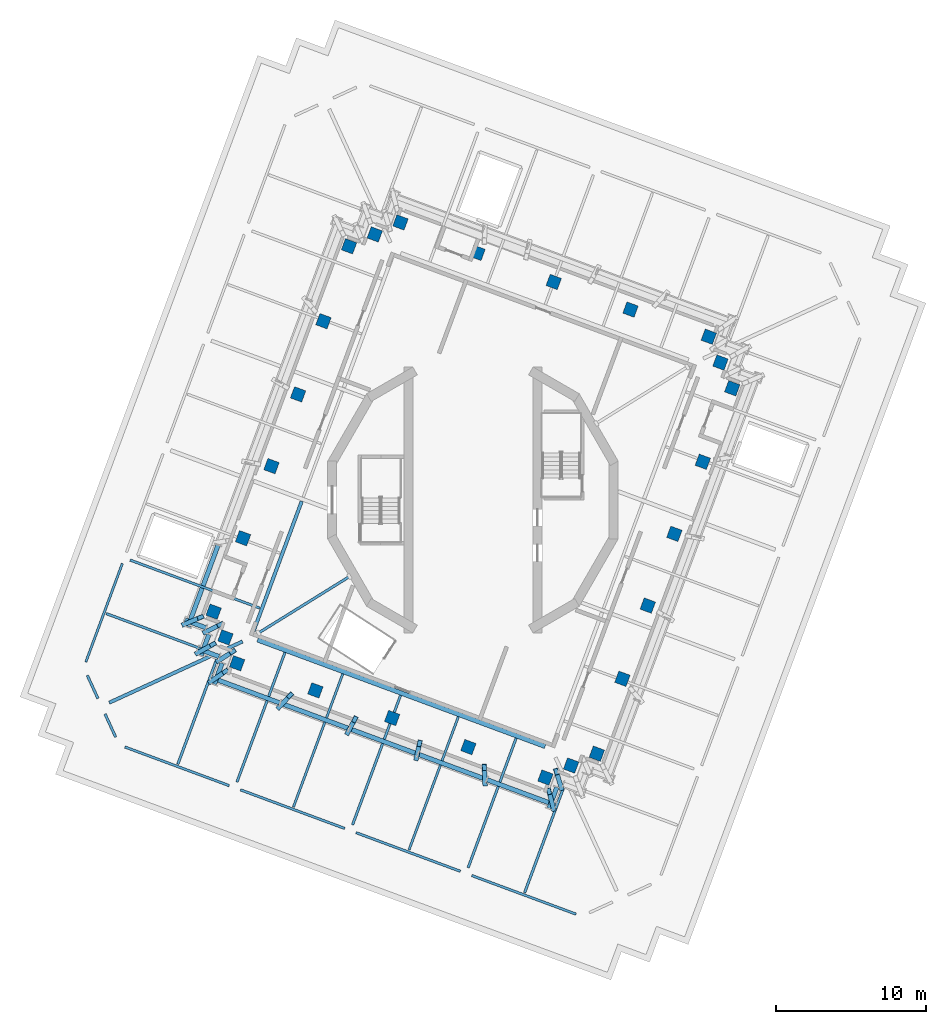
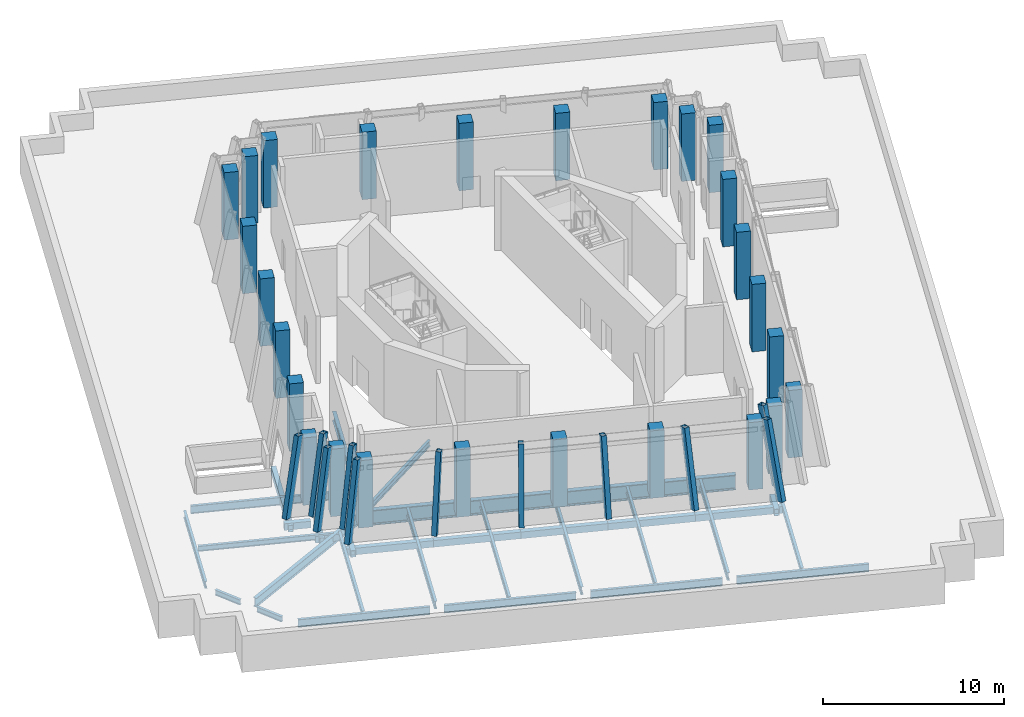
# One storey, part 1 of 12: 26 columns, 22 members, 20 beams, 12 elements without a shape of their own.
"""IFC4 building model written with IfcOpenShell, lengths in metres."""

import ifcopenshell
import ifcopenshell.guid

model = None  # the IFC model being written
_history = None  # IfcOwnerHistory: only IFC2X3 demands one
_inside = {}  # id of a spatial element -> (the spatial element, [elements in it])
_under = {}  # id of a project, library or spatial element -> (it, [spatial elements below it])
_declared = {}  # id of a project -> (the project, [libraries it declares])
_typed = {}  # id of a type object -> (the type object, [elements of that type])
_made_of = {}  # id of a material, layer set ... -> (it, [elements and type objects made of it])


def new_model(schema):
    """Start an empty IFC model of exactly this schema.

    Asked for "IFC4X3", IfcOpenShell would pick the latest addendum, in which some entities
    have other attributes; the version numbers below select the first issue.
    IFC2X3 requires an IfcOwnerHistory on every rooted entity: one is made here for all.
    """
    global model, _history
    if schema == "IFC4X3":
        model = ifcopenshell.file(schema_version=(4, 3, 0, 0))
    else:
        model = ifcopenshell.file(schema=schema)
    _inside.clear()
    _under.clear()
    _declared.clear()
    _typed.clear()
    _made_of.clear()
    _history = None
    if model.schema == "IFC2X3":
        org = make("IfcOrganization", Name="unknown")
        user = make(
            "IfcPersonAndOrganization",
            ThePerson=make("IfcPerson", FamilyName="unknown"),
            TheOrganization=org,
        )
        app = make(
            "IfcApplication",
            ApplicationDeveloper=org,
            Version="unknown",
            ApplicationFullName="unknown",
            ApplicationIdentifier="unknown",
        )
        _history = make(
            "IfcOwnerHistory",
            OwningUser=user,
            OwningApplication=app,
            ChangeAction="ADDED",
            CreationDate=0,
        )
    return model


def make(cls, **values):
    """One entity of the class cls with the attributes given. An attribute that is None is left unset."""
    return model.create_entity(
        cls, **{name: value for name, value in values.items() if value is not None}
    )


def rooted(cls, **values):
    """An entity with a GlobalId (a new one), such as an element, a storey or a relation."""
    return make(cls, GlobalId=ifcopenshell.guid.new(), OwnerHistory=_history, **values)


def si_unit(unit_type, name, prefix=None):
    """IfcSIUnit, for example si_unit("LENGTHUNIT", "METRE", prefix="MILLI")."""
    return make("IfcSIUnit", UnitType=unit_type, Prefix=prefix, Name=name)


def assignment(units):
    """IfcUnitAssignment: the units of a project."""
    return None if units is None else make("IfcUnitAssignment", Units=units)


def point(xyz):
    """IfcCartesianPoint."""
    return None if xyz is None else make("IfcCartesianPoint", Coordinates=xyz)


def direction(xyz):
    """IfcDirection."""
    return None if xyz is None else make("IfcDirection", DirectionRatios=xyz)


def frame(location, z_axis=None, x_axis=None):
    """IfcAxis2Placement3D, a coordinate frame: its origin and axes. An axis left out is left unset."""
    return make(
        "IfcAxis2Placement3D",
        Location=point(location),
        Axis=direction(z_axis),
        RefDirection=direction(x_axis),
    )


def frame_2d(location, x_axis=None):
    """IfcAxis2Placement2D, a coordinate frame in the plane: its origin and x axis."""
    return make(
        "IfcAxis2Placement2D", Location=point(location), RefDirection=direction(x_axis)
    )


def origin():
    """The frame at (0, 0, 0) with its axes left unset."""
    return frame((0.0, 0.0, 0.0))


def origin_2d():
    """The frame at (0, 0) in the plane with its x axis left unset."""
    return frame_2d((0.0, 0.0))


def place(relative_to, where):
    """IfcLocalPlacement: puts the frame where relative to a parent placement (None: the world)."""
    return make(
        "IfcLocalPlacement", PlacementRelTo=relative_to, RelativePlacement=where
    )


def context(
    kind, dimensions, precision=None, world=None, true_north=None, identifier=None
):
    """IfcGeometricRepresentationContext, for example the 3D "Model" context."""
    return make(
        "IfcGeometricRepresentationContext",
        ContextIdentifier=identifier,
        ContextType=kind,
        CoordinateSpaceDimension=dimensions,
        Precision=precision,
        WorldCoordinateSystem=world,
        TrueNorth=true_north,
    )


def subcontext(parent, identifier, kind, view, scale=None):
    """IfcGeometricRepresentationSubContext, for example "Body" below "Model"."""
    return make(
        "IfcGeometricRepresentationSubContext",
        ContextIdentifier=identifier,
        ContextType=kind,
        ParentContext=parent,
        TargetScale=scale,
        TargetView=view,
    )


def project(units=None, contexts=None):
    """IfcProject with its units and contexts."""
    return rooted(
        "IfcProject",
        Name="project",
        RepresentationContexts=contexts,
        UnitsInContext=assignment(units),
    )


def spatial(cls, under=None, at=None, **own):
    """A site, building, storey or space (cls), placed at a placement, below another one or the project."""
    s = rooted(cls, ObjectPlacement=at, **own)
    if under is not None:
        _under.setdefault(under.id(), (under, []))[1].append(s)
    return s


def profile(cls, at=None, kind="AREA", **sizes):
    """A parametric profile (cls). Its sizes go by their IFC names, for example OverallWidth=200.0."""
    return make(cls, ProfileType=kind, Position=at, **sizes)


def rectangle(**sizes):
    """IfcRectangleProfileDef."""
    return profile("IfcRectangleProfileDef", **sizes)


def hollow_rectangle(**sizes):
    """IfcRectangleHollowProfileDef."""
    return profile("IfcRectangleHollowProfileDef", **sizes)


def i_section(**sizes):
    """IfcIShapeProfileDef."""
    return profile("IfcIShapeProfileDef", **sizes)


def extrude(swept, where, along, depth):
    """IfcExtrudedAreaSolid: the profile swept, set in the frame where, extruded along a direction by depth."""
    return make(
        "IfcExtrudedAreaSolid",
        SweptArea=swept,
        Position=where,
        ExtrudedDirection=direction(along),
        Depth=depth,
    )


def shape(context_of_items, identifier, shape_type, items):
    """IfcShapeRepresentation: the items that make up one representation, for example the "Body"."""
    return make(
        "IfcShapeRepresentation",
        ContextOfItems=context_of_items,
        RepresentationIdentifier=identifier,
        RepresentationType=shape_type,
        Items=items,
    )


def material(Name=None, Category=None):
    """IfcMaterial."""
    return make("IfcMaterial", Name=Name, Category=Category)


def material_profile(
    of_material, cross_section, Name=None, Category=None, Priority=None
):
    """IfcMaterialProfile: a cross section and its material."""
    return make(
        "IfcMaterialProfile",
        Name=Name,
        Material=of_material,
        Profile=cross_section,
        Priority=Priority,
        Category=Category,
    )


def profile_set(profiles, Name=None, composite=None):
    """IfcMaterialProfileSet."""
    return make(
        "IfcMaterialProfileSet",
        Name=Name,
        MaterialProfiles=profiles,
        CompositeProfile=composite,
    )


def made_of(thing, what):
    """Note that an element or type object is made of a material, layer set ...; save() writes the relation."""
    if what is not None:
        _made_of.setdefault(what.id(), (what, []))[1].append(thing)
    return thing


def type_object(cls, material=None, **own):
    """A type object (cls), such as IfcWallType, which elements share."""
    return made_of(rooted(cls, **own), material)


def element(
    cls,
    number,
    at=None,
    inside=None,
    cuts=None,
    type_object=None,
    material=None,
    context=None,
    identifier="Body",
    shape_type=None,
    held_by="IfcProductDefinitionShape",
    body=None,
    shapes=None,
    **own,
):
    """One element of the class cls, such as IfcWall. Its Tag is "e" and its number.

    at: its placement. inside: the storey or other place that contains it. cuts: it is an
    opening in that element (IfcRelVoidsElement). A single representation is given by context,
    identifier, shape_type and body (its items); several are given by shapes. held_by: the class
    of the entity that holds the representations. save() writes the other relations.
    """
    e = rooted(cls, Tag="e%d" % number, ObjectPlacement=at, **own)
    if body is not None:
        shapes = [shape(context, identifier, shape_type, body)]
    if shapes is not None:
        e.Representation = make(held_by, Representations=shapes)
    if inside is not None:
        _inside.setdefault(inside.id(), (inside, []))[1].append(e)
    if cuts is not None:
        rooted(
            "IfcRelVoidsElement", RelatingBuildingElement=cuts, RelatedOpeningElement=e
        )
    if type_object is not None:
        _typed.setdefault(type_object.id(), (type_object, []))[1].append(e)
    return made_of(e, material)


def aggregate(whole, parts):
    """IfcRelAggregates: a whole, such as a stair, and the parts it consists of."""
    return rooted("IfcRelAggregates", RelatingObject=whole, RelatedObjects=parts)


def save(model, path):
    """Write the relations noted so far, then the file.

    IfcRelAggregates (storeys below a building ...), IfcRelContainedInSpatialStructure (elements
    in a storey), IfcRelDefinesByType, IfcRelAssociatesMaterial and IfcRelDeclares: one each for
    every whole, place, type object, material and project.
    """
    for whole, parts in _under.values():
        aggregate(whole, parts)
    for where, things in _inside.values():
        rooted(
            "IfcRelContainedInSpatialStructure",
            RelatedElements=things,
            RelatingStructure=where,
        )
    for kind, things in _typed.values():
        rooted("IfcRelDefinesByType", RelatedObjects=things, RelatingType=kind)
    for what, things in _made_of.values():
        rooted("IfcRelAssociatesMaterial", RelatedObjects=things, RelatingMaterial=what)
    for by, libraries in _declared.values():
        rooted("IfcRelDeclares", RelatingContext=by, RelatedDefinitions=libraries)
    model.write(path)


model = new_model("IFC4")

# Units and contexts
model_context = context("Model", 3, precision=1e-05, world=origin(), true_north=direction((0.0, 1.0)))
body_context = subcontext(model_context, "Body", "Model", "MODEL_VIEW")
ifc_project = project(units=[si_unit("LENGTHUNIT", "METRE"), si_unit("AREAUNIT", "SQUARE_METRE"), si_unit("VOLUMEUNIT", "CUBIC_METRE"), si_unit("PLANEANGLEUNIT", "RADIAN"), si_unit("MASSUNIT", "GRAM", prefix="KILO")], contexts=[model_context])

# Site, building, storey
site_placement = place(None, origin())
site = spatial("IfcSite", under=ifc_project, at=site_placement, CompositionType="ELEMENT")
building_placement = place(site_placement, origin())
building = spatial("IfcBuilding", under=site, at=building_placement, Name="Cantera Rosa Tower", CompositionType="ELEMENT")
storey_placement = place(building_placement, frame((0.0, 0.0, 345.699951171875)))
storey = spatial("IfcBuildingStorey", under=building, at=storey_placement, Name="L78", CompositionType="ELEMENT", Elevation=345.699951171875)

# Columns
ifc_material_1 = material(Name="Concrete C50/60", Category="concrete")
ifc_material_profile_1 = material_profile(ifc_material_1, rectangle(XDim=0.800048828125, YDim=0.800048828125, at=origin_2d()), Name="RC COLUMN RC800X800 C50/60")
ifc_profile_set_1 = profile_set([ifc_material_profile_1], Name="Concrete C50/60")
column_type = type_object("IfcColumnType", Name="RC COLUMN RC800X800 C50/60", PredefinedType="COLUMN", material=ifc_profile_set_1)
for number, where, z_axis, x_axis, name in (
    (1, (15.6875, 10.8623046875, 0.0), (0.0, 0.0, 1.0), (0.347481234489, 0.937686936924, 0.0), "C-Z6-01 L78"),
    (2, (10.48046875, 12.665771484375, 0.0), (0.0, 0.0, 1.0), (0.347481234489, 0.937686936924, 0.0), "C-Z6-02 L78"),
    (3, (5.373779296875, 14.501220703125, 0.0), (0.0, 0.0, 1.0), (0.347481234489, 0.937686936924, 0.0), "C-Z6-03 L78"),
    (4, (0.303955078125, 16.436767578125, 0.0), (0.0, 0.0, 1.0), (0.347481234489, 0.937686936924, 0.0), "C-Z6-04 L78"),
    (5, (-4.82080078125, 18.4619140625, 0.0), (0.0, 0.0, 1.0), (0.347481234489, 0.937686936924, 0.0), "C-Z6-05 L78"),
    (6, (-6.530517578125, 17.663818359375, 0.0), (0.0, 0.0, 1.0), (0.347481234489, 0.937686936924, 0.0), "C-Z6-06 L78"),
    (7, (-8.2421875, 16.875, 0.0), (0.0, 0.0, 1.0), (0.347481234489, 0.937686936924, 0.0), "C-Z6-07 L78"),
    (8, (-9.9423828125, 11.89306640625, 0.0), (0.0, 0.0, 1.0), (0.347481234489, 0.937686936924, 0.0), "C-Z6-08 L78"),
    (9, (-11.630859375, 7.024169921875, 0.0), (0.0, 0.0, 1.0), (0.347481234489, 0.937686936924, 0.0), "C-Z6-09 L78"),
    (10, (-13.3994140625, 2.251220703125, 0.0), (0.0, 0.0, 1.0), (0.347481234489, 0.937686936924, 0.0), "C-Z6-10 L78"),
    (11, (-15.29150390625, -2.542236328125, 0.0), (0.0, 0.0, 1.0), (0.347481234489, 0.937686936924, 0.0), "C-Z6-11 L78"),
    (12, (-17.24853515625, -7.4287109375, 0.0), (0.0, 0.0, 1.0), (0.347481234489, 0.937686936924, 0.0), "C-Z6-12 L78"),
    (13, (-16.46435546875, -9.142578125, 0.0), (0.0, 0.0, 1.0), (0.347481234489, 0.937686936924, 0.0), "C-Z6-13 L78"),
    (14, (-15.6875, -10.8623046875, 0.0), (0.0, 0.0, 1.0), (0.347481234489, 0.937686936924, 0.0), "C-Z6-14 L78"),
    (15, (-10.48046875, -12.665771484375, 0.0), (0.0, 0.0, 1.0), (0.347481234489, 0.937686936924, 0.0), "C-Z6-15 L78"),
    (16, (-5.373779296875, -14.501220703125, 0.0), (0.0, 0.0, 1.0), (0.347481234489, 0.937686936924, 0.0), "C-Z6-16 L78"),
    (17, (-0.303955078125, -16.436767578125, 0.0), (0.0, 0.0, 1.0), (0.347481234489, 0.937686936924, 0.0), "C-Z6-17 L78"),
    (18, (4.82080078125, -18.4619140625, 0.0), (0.0, 0.0, 1.0), (0.347481234489, 0.937686936924, 0.0), "C-Z6-18 L78"),
    (19, (6.530517578125, -17.663818359375, 0.0), (0.0, 0.0, 1.0), (0.347481234489, 0.937686936924, 0.0), "C-Z6-19 L78"),
    (20, (8.2421875, -16.875, 0.0), (0.0, 0.0, 1.0), (0.347481234489, 0.937686936924, 0.0), "C-Z6-20 L78"),
    (21, (9.9423828125, -11.89306640625, 0.0), (0.0, 0.0, 1.0), (0.347481234489, 0.937686936924, 0.0), "C-Z6-21 L78"),
    (22, (11.630859375, -7.024169921875, 0.0), (0.0, 0.0, 1.0), (0.347481234489, 0.937686936924, 0.0), "C-Z6-22 L78"),
    (23, (13.3994140625, -2.251220703125, 0.0), (0.0, 0.0, 1.0), (0.347481234489, 0.937686936924, 0.0), "C-Z6-23 L78"),
    (24, (15.29150390625, 2.542236328125, 0.0), (0.0, 0.0, 1.0), (0.347481234489, 0.937686936924, 0.0), "C-Z6-24 L78"),
    (25, (17.24853515625, 7.4287109375, 0.0), (0.0, 0.0, 1.0), (0.347481234489, 0.937686936924, 0.0), "C-Z6-25 L78"),
    (26, (16.46435546875, 9.142578125, 0.0), (0.0, 0.0, 1.0), (0.347481234489, 0.937686936924, 0.0), "C-Z6-26 L78"),
):
    element("IfcColumn", number, at=place(storey_placement, frame(where, z_axis=z_axis, x_axis=x_axis)), inside=storey, type_object=column_type, Name=name, PredefinedType="COLUMN", context=body_context, shape_type="SweptSolid", body=[
        extrude(rectangle(XDim=0.800048828125, YDim=0.800048828125, at=origin_2d()), origin(), (0.0, 0.0, 1.0), 4.550048828125),
    ])

# Curtain wall, member
ifc_material_2 = material(Name="Aluminium frame with clear glass", Category="aluminium")
curtain_wall_type = type_object("IfcCurtainWallType", Name="CW4 CROWN GLAZING", PredefinedType="NOTDEFINED", material=ifc_material_2)
curtain_wall_1_placement = place(storey_placement, origin())
curtain_wall_1 = element("IfcCurtainWall", 27, at=curtain_wall_1_placement, inside=storey, type_object=curtain_wall_type, Name="CW4 L78-15", PredefinedType="NOTDEFINED")
ifc_material_3 = material(Name="Steel S355J2 (EN 10025-2)", Category="steel")
ifc_material_profile_2 = material_profile(ifc_material_3, hollow_rectangle(XDim=0.300048828125, YDim=0.449951171875, WallThickness=0.01611328125, at=origin_2d()), Name="CROWN FRAME MULLION RHS 300x450x16")
ifc_profile_set_2 = profile_set([ifc_material_profile_2], Name="Steel S355J2 (EN 10025-2)")
member_type_1 = type_object("IfcMemberType", Name="CROWN FRAME MULLION RHS 300x450x16", PredefinedType="MULLION", material=ifc_profile_set_2)
member_1_placement = place(storey_placement, frame((-19.15673828125, -8.25048828125, 0.0), z_axis=(0.202055162633, 0.086976126112, 0.975504415541), x_axis=(-0.395382237712, 0.918516677095, 0.0)))
member_1 = element("IfcMember", 28, at=member_1_placement, type_object=member_type_1, Name="CROWN FRAME rib L78-15", PredefinedType="MULLION", context=body_context, shape_type="SweptSolid", body=[
    extrude(hollow_rectangle(XDim=0.300048828125, YDim=0.449951171875, WallThickness=0.01611328125, at=origin_2d()), origin(), (0.0, 0.0, 1.0), 5.12548828125),
])

curtain_wall_2_placement = place(storey_placement, origin())
curtain_wall_2 = element("IfcCurtainWall", 29, at=curtain_wall_2_placement, inside=storey, type_object=curtain_wall_type, Name="CW4 L78-16", PredefinedType="NOTDEFINED")
member_2_placement = place(storey_placement, frame((-17.768798828125, -8.764892578125, 0.0), z_axis=(0.18782927877, 0.092673266419, 0.97781993625), x_axis=(-0.442465792491, 0.896785382617, 0.0)))
member_2 = element("IfcMember", 30, at=member_2_placement, type_object=member_type_1, Name="CROWN FRAME rib L78-16", PredefinedType="MULLION", context=body_context, shape_type="SweptSolid", body=[
    extrude(hollow_rectangle(XDim=0.300048828125, YDim=0.449951171875, WallThickness=0.01611328125, at=origin_2d()), origin(), (0.0, 0.0, 1.0), 5.113525390625),
])

curtain_wall_3_placement = place(storey_placement, origin())
curtain_wall_3 = element("IfcCurtainWall", 31, at=curtain_wall_3_placement, inside=storey, type_object=curtain_wall_type, Name="CW4 L78-17", PredefinedType="NOTDEFINED")
member_3_placement = place(storey_placement, frame((-18.283203125, -10.152587890625, 0.0), z_axis=(0.192790277185, 0.107063375275, 0.975381639512), x_axis=(-0.485496229045, 0.874238761199, 0.0)))
member_3 = element("IfcMember", 32, at=member_3_placement, type_object=member_type_1, Name="CROWN FRAME rib L78-17", PredefinedType="MULLION", context=body_context, shape_type="SweptSolid", body=[
    extrude(hollow_rectangle(XDim=0.300048828125, YDim=0.449951171875, WallThickness=0.01611328125, at=origin_2d()), origin(), (0.0, 0.0, 1.0), 5.126220703125),
])

curtain_wall_4_placement = place(storey_placement, origin())
curtain_wall_4 = element("IfcCurtainWall", 33, at=curtain_wall_4_placement, inside=storey, type_object=curtain_wall_type, Name="CW4 L78-18", PredefinedType="NOTDEFINED")
member_4_placement = place(storey_placement, frame((-16.895263671875, -10.6669921875, 0.0), z_axis=(0.178501061972, 0.112732488871, 0.977460360745), x_axis=(-0.533975980115, 0.845499646753, 0.0)))
member_4 = element("IfcMember", 34, at=member_4_placement, type_object=member_type_1, Name="CROWN FRAME rib L78-18", PredefinedType="MULLION", context=body_context, shape_type="SweptSolid", body=[
    extrude(hollow_rectangle(XDim=0.300048828125, YDim=0.449951171875, WallThickness=0.01611328125, at=origin_2d()), origin(), (0.0, 0.0, 1.0), 5.115234375),
])

curtain_wall_5_placement = place(storey_placement, origin())
curtain_wall_5 = element("IfcCurtainWall", 35, at=curtain_wall_5_placement, inside=storey, type_object=curtain_wall_type, Name="CW4 L78-19", PredefinedType="NOTDEFINED")
member_5_placement = place(storey_placement, frame((-17.40966796875, -12.0546875, 0.0), z_axis=(0.183485118083, 0.127035481236, 0.974779563773), x_axis=(-0.569232159269, 0.822176835513, 0.0)))
member_5 = element("IfcMember", 36, at=member_5_placement, type_object=member_type_1, Name="CROWN FRAME rib L78-19", PredefinedType="MULLION", context=body_context, shape_type="SweptSolid", body=[
    extrude(hollow_rectangle(XDim=0.300048828125, YDim=0.449951171875, WallThickness=0.01611328125, at=origin_2d()), origin(), (0.0, 0.0, 1.0), 5.12939453125),
])

curtain_wall_6_placement = place(storey_placement, origin())
curtain_wall_6 = element("IfcCurtainWall", 37, at=curtain_wall_6_placement, inside=storey, type_object=curtain_wall_type, Name="CW4 L78-20", PredefinedType="NOTDEFINED")
member_6_placement = place(storey_placement, frame((-12.857666015625, -13.741455078125, 0.0), z_axis=(0.136223280906, 0.145553642612, 0.979927219165), x_axis=(-0.730120754726, 0.683318142243, 0.0)))
member_6 = element("IfcMember", 38, at=member_6_placement, type_object=member_type_1, Name="CROWN FRAME rib L78-20", PredefinedType="MULLION", context=body_context, shape_type="SweptSolid", body=[
    extrude(hollow_rectangle(XDim=0.300048828125, YDim=0.449951171875, WallThickness=0.01611328125, at=origin_2d()), origin(), (0.0, 0.0, 1.0), 5.1025390625),
])

curtain_wall_7_placement = place(storey_placement, origin())
curtain_wall_7 = element("IfcCurtainWall", 39, at=curtain_wall_7_placement, inside=storey, type_object=curtain_wall_type, Name="CW4 L78-21", PredefinedType="NOTDEFINED")
member_7_placement = place(storey_placement, frame((-8.305908203125, -15.42822265625, 0.0), z_axis=(0.088225909916, 0.163882386228, 0.982526718366), x_axis=(-0.880512480257, 0.474022965806, 0.0)))
member_7 = element("IfcMember", 40, at=member_7_placement, type_object=member_type_1, Name="CROWN FRAME rib L78-21", PredefinedType="MULLION", context=body_context, shape_type="SweptSolid", body=[
    extrude(hollow_rectangle(XDim=0.300048828125, YDim=0.449951171875, WallThickness=0.01611328125, at=origin_2d()), origin(), (0.0, 0.0, 1.0), 5.0888671875),
])

curtain_wall_8_placement = place(storey_placement, origin())
curtain_wall_8 = element("IfcCurtainWall", 41, at=curtain_wall_8_placement, inside=storey, type_object=curtain_wall_type, Name="CW4 L78-22", PredefinedType="NOTDEFINED")
member_8_placement = place(storey_placement, frame((-3.75390625, -17.114990234375, 0.0), z_axis=(0.039867351696, 0.18177785268, 0.98253112243), x_axis=(-0.976783829743, 0.214227332414, 0.0)))
member_8 = element("IfcMember", 42, at=member_8_placement, type_object=member_type_1, Name="CROWN FRAME rib L78-22", PredefinedType="MULLION", context=body_context, shape_type="SweptSolid", body=[
    extrude(hollow_rectangle(XDim=0.300048828125, YDim=0.449951171875, WallThickness=0.01611328125, at=origin_2d()), origin(), (0.0, 0.0, 1.0), 5.0888671875),
])

curtain_wall_9_placement = place(storey_placement, origin())
curtain_wall_9 = element("IfcCurtainWall", 43, at=curtain_wall_9_placement, inside=storey, type_object=curtain_wall_type, Name="CW4 L78-23", PredefinedType="NOTDEFINED")
member_9_placement = place(storey_placement, frame((0.798095703125, -18.802001953125, 0.0), z_axis=(-0.00846907113, 0.199190639075, 0.979924162443), x_axis=(-0.999097358313, -0.042479037334, 0.0)))
member_9 = element("IfcMember", 44, at=member_9_placement, type_object=member_type_1, Name="CROWN FRAME rib L78-23", PredefinedType="MULLION", context=body_context, shape_type="SweptSolid", body=[
    extrude(hollow_rectangle(XDim=0.300048828125, YDim=0.449951171875, WallThickness=0.01611328125, at=origin_2d()), origin(), (0.0, 0.0, 1.0), 5.1025390625),
])

curtain_wall_10_placement = place(storey_placement, origin())
curtain_wall_10 = element("IfcCurtainWall", 45, at=curtain_wall_10_placement, inside=storey, type_object=curtain_wall_type, Name="CW4 L78-24", PredefinedType="NOTDEFINED")
member_10_placement = place(storey_placement, frame((5.349853515625, -20.48876953125, 0.0), z_axis=(-0.056354338907, 0.215945638194, 0.974777754071), x_axis=(-0.967594620627, -0.252508712987, 0.0)))
member_10 = element("IfcMember", 46, at=member_10_placement, type_object=member_type_1, Name="CROWN FRAME rib L78-24", PredefinedType="MULLION", context=body_context, shape_type="SweptSolid", body=[
    extrude(hollow_rectangle(XDim=0.300048828125, YDim=0.449951171875, WallThickness=0.01611328125, at=origin_2d()), origin(), (0.0, 0.0, 1.0), 5.12939453125),
])

curtain_wall_11_placement = place(storey_placement, origin())
curtain_wall_11 = element("IfcCurtainWall", 47, at=curtain_wall_11_placement, inside=storey, type_object=curtain_wall_type, Name="CW4 L78-25", PredefinedType="NOTDEFINED")
member_11_placement = place(storey_placement, frame((5.8642578125, -19.100830078125, 0.0), z_axis=(-0.061997729079, 0.201838642243, 0.977454573925), x_axis=(-0.955920630537, -0.293625183038, 0.0)))
member_11 = element("IfcMember", 48, at=member_11_placement, type_object=member_type_1, Name="CROWN FRAME rib L78-25", PredefinedType="MULLION", context=body_context, shape_type="SweptSolid", body=[
    extrude(hollow_rectangle(XDim=0.300048828125, YDim=0.449951171875, WallThickness=0.01611328125, at=origin_2d()), origin(), (0.0, 0.0, 1.0), 5.115234375),
])
aggregate(curtain_wall_11, [member_11])

curtain_wall_12_placement = place(storey_placement, origin())
curtain_wall_12 = element("IfcCurtainWall", 49, at=curtain_wall_12_placement, inside=storey, type_object=curtain_wall_type, Name="CW4 L78-14", PredefinedType="NOTDEFINED")
ifc_material_4 = material(Name="Steel S355J2 (EN 10025-2)", Category="steel")
ifc_material_profile_3 = material_profile(ifc_material_4, hollow_rectangle(XDim=0.300048828125, YDim=0.449951171875, WallThickness=0.01611328125, at=origin_2d()), Name="CROWN FRAME PURLIN RHS 300x450x16")
ifc_profile_set_3 = profile_set([ifc_material_profile_3], Name="Steel S355J2 (EN 10025-2)")
member_type_2 = type_object("IfcMemberType", Name="CROWN FRAME PURLIN RHS 300x450x16", PredefinedType="PURLIN", material=ifc_profile_set_3)
member_12_placement = place(storey_placement, frame((-16.947021484375, -2.9912109375, -0.675048828125), z_axis=(-0.347483101346, -0.937686245116, 0.0), x_axis=(0.937686245116, -0.347483101346, 0.0)))
member_12 = element("IfcMember", 50, at=member_12_placement, type_object=member_type_2, Name="CROWN FRAME purlin L78-14", PredefinedType="PURLIN", context=body_context, shape_type="SweptSolid", body=[
    extrude(hollow_rectangle(XDim=0.300048828125, YDim=0.449951171875, WallThickness=0.01611328125, at=origin_2d()), origin(), (0.0, 0.0, 1.0), 5.795654296875),
])
aggregate(curtain_wall_12, [member_12])

# Member
member_13_placement = place(storey_placement, frame((-19.1650390625, -7.981689453125, -0.675048828125), z_axis=(0.937655822208, -0.347565186806, 0.0), x_axis=(0.347565186806, 0.937655822208, 0.0)))
member_13 = element("IfcMember", 51, at=member_13_placement, type_object=member_type_2, Name="CROWN FRAME purlin L78-15", PredefinedType="PURLIN", context=body_context, shape_type="SweptSolid", body=[
    extrude(hollow_rectangle(XDim=0.300048828125, YDim=0.449951171875, WallThickness=0.01611328125, at=origin_2d()), origin(), (0.0, 0.0, 1.0), 1.48974609375),
])

aggregate(curtain_wall_1, [member_1, member_13])

member_14_placement = place(storey_placement, frame((-17.56396484375, -8.9443359375, -0.675048828125), z_axis=(-0.347565186806, -0.937655822208, 0.0), x_axis=(0.937655822208, -0.347565186806, 0.0)))
member_14 = element("IfcMember", 52, at=member_14_placement, type_object=member_type_2, Name="CROWN FRAME purlin L78-16", PredefinedType="PURLIN", context=body_context, shape_type="SweptSolid", body=[
    extrude(hollow_rectangle(XDim=0.300048828125, YDim=0.449951171875, WallThickness=0.01611328125, at=origin_2d()), origin(), (0.0, 0.0, 1.0), 1.48974609375),
])

aggregate(curtain_wall_2, [member_2, member_14])

member_15_placement = place(storey_placement, frame((-18.284912109375, -9.896728515625, -0.675048828125), z_axis=(0.937709218369, -0.347421101528, 0.0), x_axis=(0.347421101528, 0.937709218369, 0.0)))
member_15 = element("IfcMember", 53, at=member_15_placement, type_object=member_type_2, Name="CROWN FRAME purlin L78-17", PredefinedType="PURLIN", context=body_context, shape_type="SweptSolid", body=[
    extrude(hollow_rectangle(XDim=0.300048828125, YDim=0.449951171875, WallThickness=0.01611328125, at=origin_2d()), origin(), (0.0, 0.0, 1.0), 1.48974609375),
])

aggregate(curtain_wall_3, [member_3, member_15])

member_16_placement = place(storey_placement, frame((-16.684814453125, -10.860107421875, -0.675048828125), z_axis=(-0.347511790258, -0.937675613222, 0.0), x_axis=(0.937675613222, -0.347511790258, 0.0)))
member_16 = element("IfcMember", 54, at=member_16_placement, type_object=member_type_2, Name="CROWN FRAME purlin L78-18", PredefinedType="PURLIN", context=body_context, shape_type="SweptSolid", body=[
    extrude(hollow_rectangle(XDim=0.300048828125, YDim=0.449951171875, WallThickness=0.01611328125, at=origin_2d()), origin(), (0.0, 0.0, 1.0), 1.489990234375),
])

aggregate(curtain_wall_4, [member_4, member_16])

member_17_placement = place(storey_placement, frame((-17.405029296875, -11.8115234375, -0.675048828125), z_axis=(0.937685464067, -0.347485209004, 0.0), x_axis=(0.347485209004, 0.937685464067, 0.0)))
member_17 = element("IfcMember", 55, at=member_17_placement, type_object=member_type_2, Name="CROWN FRAME purlin L78-19", PredefinedType="PURLIN", context=body_context, shape_type="SweptSolid", body=[
    extrude(hollow_rectangle(XDim=0.300048828125, YDim=0.449951171875, WallThickness=0.01611328125, at=origin_2d()), origin(), (0.0, 0.0, 1.0), 4.886474609375),
])

aggregate(curtain_wall_5, [member_5, member_17])

member_18_placement = place(storey_placement, frame((-12.822998046875, -13.509521484375, -0.675048828125), z_axis=(0.937685464067, -0.347485209004, 0.0), x_axis=(0.347485209004, 0.937685464067, 0.0)))
member_18 = element("IfcMember", 56, at=member_18_placement, type_object=member_type_2, Name="CROWN FRAME purlin L78-20", PredefinedType="PURLIN", context=body_context, shape_type="SweptSolid", body=[
    extrude(hollow_rectangle(XDim=0.300048828125, YDim=0.449951171875, WallThickness=0.01611328125, at=origin_2d()), origin(), (0.0, 0.0, 1.0), 4.886474609375),
])

aggregate(curtain_wall_6, [member_6, member_18])

member_19_placement = place(storey_placement, frame((-8.240966796875, -15.20751953125, -0.675048828125), z_axis=(0.937679430942, -0.347501488901, 0.0), x_axis=(0.347501488901, 0.937679430942, 0.0)))
member_19 = element("IfcMember", 57, at=member_19_placement, type_object=member_type_2, Name="CROWN FRAME purlin L78-21", PredefinedType="PURLIN", context=body_context, shape_type="SweptSolid", body=[
    extrude(hollow_rectangle(XDim=0.300048828125, YDim=0.449951171875, WallThickness=0.01611328125, at=origin_2d()), origin(), (0.0, 0.0, 1.0), 4.88623046875),
])

aggregate(curtain_wall_7, [member_7, member_19])

member_20_placement = place(storey_placement, frame((-3.6591796875, -16.905517578125, -0.675048828125), z_axis=(0.937685464067, -0.347485209004, 0.0), x_axis=(0.347485209004, 0.937685464067, 0.0)))
member_20 = element("IfcMember", 58, at=member_20_placement, type_object=member_type_2, Name="CROWN FRAME purlin L78-22", PredefinedType="PURLIN", context=body_context, shape_type="SweptSolid", body=[
    extrude(hollow_rectangle(XDim=0.300048828125, YDim=0.449951171875, WallThickness=0.01611328125, at=origin_2d()), origin(), (0.0, 0.0, 1.0), 4.886474609375),
])

aggregate(curtain_wall_8, [member_8, member_20])

member_21_placement = place(storey_placement, frame((0.9228515625, -18.603515625, -0.675048828125), z_axis=(0.937701742507, -0.347441278634, 0.0), x_axis=(0.347441278634, 0.937701742507, 0.0)))
member_21 = element("IfcMember", 59, at=member_21_placement, type_object=member_type_2, Name="CROWN FRAME purlin L78-23", PredefinedType="PURLIN", context=body_context, shape_type="SweptSolid", body=[
    extrude(hollow_rectangle(XDim=0.300048828125, YDim=0.449951171875, WallThickness=0.01611328125, at=origin_2d()), origin(), (0.0, 0.0, 1.0), 4.886474609375),
])

aggregate(curtain_wall_9, [member_9, member_21])

member_22_placement = place(storey_placement, frame((5.06103515625, -20.507568359375, -0.675048828125), z_axis=(0.347367721038, 0.937728994103, 0.0), x_axis=(-0.937728994103, 0.347367721038, 0.0)))
member_22 = element("IfcMember", 60, at=member_22_placement, type_object=member_type_2, Name="CROWN FRAME purlin L78-24", PredefinedType="PURLIN", context=body_context, shape_type="SweptSolid", body=[
    extrude(hollow_rectangle(XDim=0.300048828125, YDim=0.449951171875, WallThickness=0.01611328125, at=origin_2d()), origin(), (0.0, 0.0, 1.0), 1.489990234375),
])

aggregate(curtain_wall_10, [member_10, member_22])

# Beams
ifc_material_5 = material(Name="Steel ASTM A992 (Fy 345 MPa)", Category="steel")
ifc_material_profile_4 = material_profile(ifc_material_5, i_section(OverallWidth=0.302001953125, OverallDepth=1.010009765625, WebThickness=0.02099609375, FlangeThickness=0.0400390625, FilletRadius=0.030029296875, at=origin_2d()), Name="W1000X350")
ifc_profile_set_4 = profile_set([ifc_material_profile_4], Name="Steel ASTM A992 (Fy 345 MPa)")
beam_type_1 = type_object("IfcBeamType", Name="STEEL BEAM W1000X350", PredefinedType="BEAM", material=ifc_profile_set_4)
beam_1_placement = place(storey_placement, frame((4.803955078125, -16.390625, -0.954833984375), z_axis=(-0.937687392162, 0.347480006017, 0.0), x_axis=(-0.347480006017, -0.937687392162, 0.0)))
element("IfcBeam", 61, at=beam_1_placement, inside=storey, type_object=beam_type_1, Name="RB-Z6-08 L78", PredefinedType="BEAM", context=body_context, shape_type="SweptSolid", body=[
    extrude(i_section(OverallWidth=0.302001953125, OverallDepth=1.010009765625, WebThickness=0.02099609375, FlangeThickness=0.0400390625, FilletRadius=0.030029296875, at=origin_2d()), origin(), (0.0, 0.0, 1.0), 20.400146484375),
])
ifc_material_6 = material(Name="Steel ASTM A992 (Fy 345 MPa)", Category="steel")
ifc_material_profile_5 = material_profile(ifc_material_6, i_section(OverallWidth=0.177978515625, OverallDepth=0.406005859375, WebThickness=0.0078125, FlangeThickness=0.0126953125, FilletRadius=0.01025390625, at=origin_2d()), Name="W410X60")
ifc_profile_set_5 = profile_set([ifc_material_profile_5], Name="Steel ASTM A992 (Fy 345 MPa)")
beam_type_2 = type_object("IfcBeamType", Name="STEEL BEAM W410X60", PredefinedType="BEAM", material=ifc_profile_set_5)
beam_2_placement = place(storey_placement, frame((-14.262451171875, -8.84521484375, -0.65283203125), z_axis=(0.849840939707, 0.527039255841, 0.0), x_axis=(-0.527039255841, 0.849840939707, 0.0)))
element("IfcBeam", 62, at=beam_2_placement, inside=storey, type_object=beam_type_2, Name="PG-Z6-01 L78", PredefinedType="BEAM", context=body_context, shape_type="SweptSolid", body=[
    extrude(i_section(OverallWidth=0.177978515625, OverallDepth=0.406005859375, WebThickness=0.0078125, FlangeThickness=0.0126953125, FilletRadius=0.01025390625, at=origin_2d()), origin(), (0.0, 0.0, 1.0), 7.118408203125),
])
ifc_material_7 = material(Name="Steel ASTM A992 (Fy 345 MPa)", Category="steel")
ifc_material_profile_6 = material_profile(ifc_material_7, i_section(OverallWidth=0.166015625, OverallDepth=0.528076171875, WebThickness=0.009765625, FlangeThickness=0.013671875, FilletRadius=0.0126953125, at=origin_2d()), Name="W530X74")
ifc_profile_set_6 = profile_set([ifc_material_profile_6], Name="Steel ASTM A992 (Fy 345 MPa)")
beam_type_3 = type_object("IfcBeamType", Name="STEEL BEAM W530X74", PredefinedType="BEAM", material=ifc_profile_set_6)
for number, where, z_axis, x_axis, name in (
    (63, (-22.808837890625, -3.9931640625, -0.7138671875), (0.937688566, -0.347476838353, 0.0), (0.347476838353, 0.937688566, 0.0), "G-Z6-07 L78"),
    (64, (-15.698486328125, -18.764404296875, -0.7138671875), (0.347476838353, 0.937688566, 0.0), (-0.937688566, 0.347476838353, 0.0), "G-Z6-12 L78"),
    (65, (-8.009521484375, -21.61376953125, -0.7138671875), (0.34750017104, 0.937679919337, 0.0), (-0.937679919337, 0.34750017104, 0.0), "G-Z6-13 L78"),
    (66, (-0.3203125, -24.463134765625, -0.7138671875), (0.347476838353, 0.937688566, 0.0), (-0.937688566, 0.347476838353, 0.0), "G-Z6-14 L78"),
):
    element("IfcBeam", number, at=place(storey_placement, frame(where, z_axis=z_axis, x_axis=x_axis)), inside=storey, type_object=beam_type_3, Name=name, PredefinedType="BEAM", context=body_context, shape_type="SweptSolid", body=[
        extrude(i_section(OverallWidth=0.166015625, OverallDepth=0.528076171875, WebThickness=0.009765625, FlangeThickness=0.013671875, FilletRadius=0.0126953125, at=origin_2d()), origin(), (0.0, 0.0, 1.0), 9.199951171875),
    ])
ifc_material_8 = material(Name="Steel ASTM A992 (Fy 345 MPa)", Category="steel")
ifc_material_profile_7 = material_profile(ifc_material_8, i_section(OverallWidth=0.22802734375, OverallDepth=0.60205078125, WebThickness=0.010498046875, FlangeThickness=0.014892578125, FilletRadius=0.0126953125, at=origin_2d()), Name="W610X101")
ifc_profile_set_7 = profile_set([ifc_material_profile_7], Name="Steel ASTM A992 (Fy 345 MPa)")
beam_type_4 = type_object("IfcBeamType", Name="STEEL BEAM W610X101", PredefinedType="BEAM", material=ifc_profile_set_7)
beam_3_placement = place(storey_placement, frame((-24.19287109375, -13.483642578125, -0.7509765625), z_axis=(0.908747889595, 0.417345508131, 0.0), x_axis=(-0.417345508131, 0.908747889595, 0.0)))
element("IfcBeam", 67, at=beam_3_placement, inside=storey, type_object=beam_type_4, Name="CB-Z6-02 L78", PredefinedType="BEAM", context=body_context, shape_type="SweptSolid", body=[
    extrude(i_section(OverallWidth=0.22802734375, OverallDepth=0.60205078125, WebThickness=0.010498046875, FlangeThickness=0.014892578125, FilletRadius=0.0126953125, at=origin_2d()), origin(), (0.0, 0.0, 1.0), 9.758056640625),
])
beam_4_placement = place(storey_placement, frame((-14.590576171875, -8.7236328125, -0.7509765625), z_axis=(0.347498244979, 0.937680633125, 0.0), x_axis=(-0.937680633125, 0.347498244979, 0.0)))
element("IfcBeam", 68, at=beam_4_placement, inside=storey, type_object=beam_type_4, Name="RB-Z6-01 L78", PredefinedType="BEAM", context=body_context, shape_type="SweptSolid", body=[
    extrude(i_section(OverallWidth=0.22802734375, OverallDepth=0.60205078125, WebThickness=0.010498046875, FlangeThickness=0.014892578125, FilletRadius=0.0126953125, at=origin_2d()), origin(), (0.0, 0.0, 1.0), 9.2099609375),
])
ifc_material_9 = material(Name="Steel ASTM A992 (Fy 345 MPa)", Category="steel")
ifc_material_profile_8 = material_profile(ifc_material_9, i_section(OverallWidth=0.1708984375, OverallDepth=0.35595703125, WebThickness=0.00732421875, FlangeThickness=0.01171875, FilletRadius=0.010009765625, at=origin_2d()), Name="W360X51")
ifc_profile_set_8 = profile_set([ifc_material_profile_8], Name="Steel ASTM A992 (Fy 345 MPa)")
beam_type_5 = type_object("IfcBeamType", Name="STEEL JOIST W360X51", PredefinedType="JOIST", material=ifc_profile_set_8)
beam_5_placement = place(storey_placement, frame((-24.39501953125, -7.553955078125, -0.6279296875), z_axis=(0.937686277131, -0.347483014951, 0.0), x_axis=(0.347483014951, 0.937686277131, 0.0)))
element("IfcBeam", 69, at=beam_5_placement, inside=storey, type_object=beam_type_5, Name="B-Z6-09 L78", PredefinedType="JOIST", context=body_context, shape_type="SweptSolid", body=[
    extrude(i_section(OverallWidth=0.1708984375, OverallDepth=0.35595703125, WebThickness=0.00732421875, FlangeThickness=0.01171875, FilletRadius=0.010009765625, at=origin_2d()), origin(), (0.0, 0.0, 1.0), 7.590087890625),
])
for number, where, z_axis, x_axis, name in (
    (70, (-19.6298828125, -17.573974609375, -0.6279296875), (0.347491728417, 0.937683048093, 0.0), (-0.937683048093, 0.347491728417, 0.0), "B-Z6-15 L78"),
    (71, (3.437255859375, -26.1220703125, -0.6279296875), (0.347491728417, 0.937683048093, 0.0), (-0.937683048093, 0.347491728417, 0.0), "B-Z6-18 L78"),
):
    element("IfcBeam", number, at=place(storey_placement, frame(where, z_axis=z_axis, x_axis=x_axis)), inside=storey, type_object=beam_type_5, Name=name, PredefinedType="JOIST", context=body_context, shape_type="SweptSolid", body=[
        extrude(i_section(OverallWidth=0.1708984375, OverallDepth=0.35595703125, WebThickness=0.00732421875, FlangeThickness=0.01171875, FilletRadius=0.010009765625, at=origin_2d()), origin(), (0.0, 0.0, 1.0), 7.800048828125),
    ])
ifc_material_10 = material(Name="Steel ASTM A992 (Fy 345 MPa)", Category="steel")
ifc_material_profile_9 = material_profile(ifc_material_10, i_section(OverallWidth=0.154052734375, OverallDepth=0.4599609375, WebThickness=0.009033203125, FlangeThickness=0.015380859375, FilletRadius=0.01025390625, at=origin_2d()), Name="W460X68")
ifc_profile_set_9 = profile_set([ifc_material_profile_9], Name="Steel ASTM A992 (Fy 345 MPa)")
beam_type_6 = type_object("IfcBeamType", Name="STEEL JOIST W460X68", PredefinedType="JOIST", material=ifc_profile_set_9)
for number, where, z_axis, x_axis, name in (
    (72, (-11.94091796875, -20.42333984375, -0.679931640625), (0.347482637031, 0.937686417179, 0.0), (-0.937686417179, 0.347482637031, 0.0), "B-Z6-16 L78"),
    (73, (-4.251708984375, -23.272705078125, -0.679931640625), (0.347482637031, 0.937686417179, 0.0), (-0.937686417179, 0.347482637031, 0.0), "B-Z6-17 L78"),
):
    element("IfcBeam", number, at=place(storey_placement, frame(where, z_axis=z_axis, x_axis=x_axis)), inside=storey, type_object=beam_type_6, Name=name, PredefinedType="JOIST", context=body_context, shape_type="SweptSolid", body=[
        extrude(i_section(OverallWidth=0.154052734375, OverallDepth=0.4599609375, WebThickness=0.009033203125, FlangeThickness=0.015380859375, FilletRadius=0.01025390625, at=origin_2d()), origin(), (0.0, 0.0, 1.0), 9.449951171875),
    ])
ifc_material_11 = material(Name="Steel ASTM A992 (Fy 345 MPa)", Category="steel")
ifc_material_profile_10 = material_profile(ifc_material_11, i_section(OverallWidth=0.1708984375, OverallDepth=0.35595703125, WebThickness=0.00732421875, FlangeThickness=0.01171875, FilletRadius=0.010009765625, at=origin_2d()), Name="W360X51")
ifc_profile_set_10 = profile_set([ifc_material_profile_10], Name="Steel ASTM A992 (Fy 345 MPa)")
beam_type_7 = type_object("IfcBeamType", Name="STEEL SPANDREL BEAM W360X51", PredefinedType="SPANDREL", material=ifc_profile_set_10)
for number, where, z_axis, x_axis, name in (
    (74, (-25.651123046875, -11.66357421875, -0.6279296875), (0.417268968709, -0.908783036677, 0.0), (0.908783036677, 0.417268968709, 0.0), "EB-Z6-12 L78"),
    (75, (-24.470947265625, -14.23388671875, -0.6279296875), (0.417387791404, -0.908728469669, 0.0), (0.908728469669, 0.417387791404, 0.0), "EB-Z6-13 L78"),
):
    element("IfcBeam", number, at=place(storey_placement, frame(where, z_axis=z_axis, x_axis=x_axis)), inside=storey, type_object=beam_type_7, Name=name, PredefinedType="SPANDREL", context=body_context, shape_type="SweptSolid", body=[
        extrude(i_section(OverallWidth=0.1708984375, OverallDepth=0.35595703125, WebThickness=0.00732421875, FlangeThickness=0.01171875, FilletRadius=0.010009765625, at=origin_2d()), origin(), (0.0, 0.0, 1.0), 1.69677734375),
    ])
ifc_material_12 = material(Name="Steel ASTM A992 (Fy 345 MPa)", Category="steel")
ifc_material_profile_11 = material_profile(ifc_material_12, i_section(OverallWidth=0.154052734375, OverallDepth=0.4599609375, WebThickness=0.009033203125, FlangeThickness=0.015380859375, FilletRadius=0.01025390625, at=origin_2d()), Name="W460X68")
ifc_profile_set_11 = profile_set([ifc_material_profile_11], Name="Steel ASTM A992 (Fy 345 MPa)")
beam_type_8 = type_object("IfcBeamType", Name="STEEL SPANDREL BEAM W460X68", PredefinedType="SPANDREL", material=ifc_profile_set_11)
beam_6_placement = place(storey_placement, frame((-23.322998046875, -4.229248046875, -0.679931640625), z_axis=(-0.347460165909, -0.937694744097, 0.0), x_axis=(0.937694744097, -0.347460165909, 0.0)))
element("IfcBeam", 76, at=beam_6_placement, inside=storey, type_object=beam_type_8, Name="EB-Z6-11 L78", PredefinedType="SPANDREL", context=body_context, shape_type="SweptSolid", body=[
    extrude(i_section(OverallWidth=0.154052734375, OverallDepth=0.4599609375, WebThickness=0.009033203125, FlangeThickness=0.015380859375, FilletRadius=0.01025390625, at=origin_2d()), origin(), (0.0, 0.0, 1.0), 6.97998046875),
])
ifc_material_13 = material(Name="Steel ASTM A992 (Fy 345 MPa)", Category="steel")
ifc_material_profile_12 = material_profile(ifc_material_13, i_section(OverallWidth=0.166015625, OverallDepth=0.528076171875, WebThickness=0.009765625, FlangeThickness=0.013671875, FilletRadius=0.0126953125, at=origin_2d()), Name="W530X74")
ifc_profile_set_12 = profile_set([ifc_material_profile_12], Name="Steel ASTM A992 (Fy 345 MPa)")
beam_type_9 = type_object("IfcBeamType", Name="STEEL SPANDREL BEAM W530X74", PredefinedType="SPANDREL", material=ifc_profile_set_12)
beam_7_placement = place(storey_placement, frame((-23.1513671875, -16.428955078125, -0.7138671875), z_axis=(0.937676706507, -0.347508840281, 0.0), x_axis=(0.347508840281, 0.937676706507, 0.0)))
element("IfcBeam", 77, at=beam_7_placement, inside=storey, type_object=beam_type_9, Name="EB-Z6-14 L78", PredefinedType="SPANDREL", context=body_context, shape_type="SweptSolid", body=[
    extrude(i_section(OverallWidth=0.166015625, OverallDepth=0.528076171875, WebThickness=0.009765625, FlangeThickness=0.013671875, FilletRadius=0.0126953125, at=origin_2d()), origin(), (0.0, 0.0, 1.0), 7.39990234375),
])
for number, where, z_axis, x_axis, name in (
    (78, (-15.46240234375, -19.2783203125, -0.7138671875), (0.937680690562, -0.34749808999, 0.0), (0.34749808999, 0.937680690562, 0.0), "EB-Z6-15 L78"),
    (79, (-7.7734375, -22.127685546875, -0.7138671875), (0.937680690562, -0.34749808999, 0.0), (0.34749808999, 0.937680690562, 0.0), "EB-Z6-16 L78"),
):
    element("IfcBeam", number, at=place(storey_placement, frame(where, z_axis=z_axis, x_axis=x_axis)), inside=storey, type_object=beam_type_9, Name=name, PredefinedType="SPANDREL", context=body_context, shape_type="SweptSolid", body=[
        extrude(i_section(OverallWidth=0.166015625, OverallDepth=0.528076171875, WebThickness=0.009765625, FlangeThickness=0.013671875, FilletRadius=0.0126953125, at=origin_2d()), origin(), (0.0, 0.0, 1.0), 7.400146484375),
    ])
beam_8_placement = place(storey_placement, frame((-0.084228515625, -24.97705078125, -0.7138671875), z_axis=(0.937687456783, -0.347479831633, 0.0), x_axis=(0.347479831633, 0.937687456783, 0.0)))
element("IfcBeam", 80, at=beam_8_placement, inside=storey, type_object=beam_type_9, Name="EB-Z6-17 L78", PredefinedType="SPANDREL", context=body_context, shape_type="SweptSolid", body=[
    extrude(i_section(OverallWidth=0.166015625, OverallDepth=0.528076171875, WebThickness=0.009765625, FlangeThickness=0.013671875, FilletRadius=0.0126953125, at=origin_2d()), origin(), (0.0, 0.0, 1.0), 7.39990234375),
])

save(model, "model.ifc")
